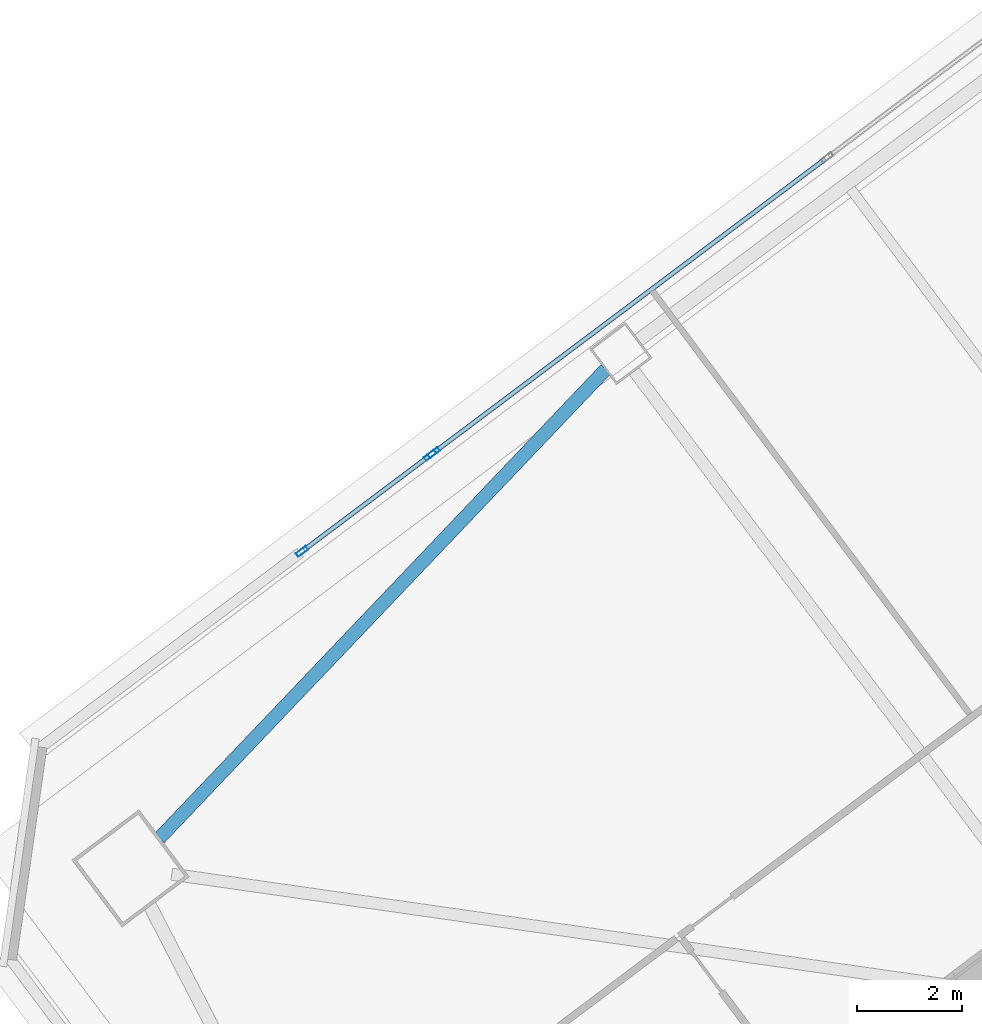
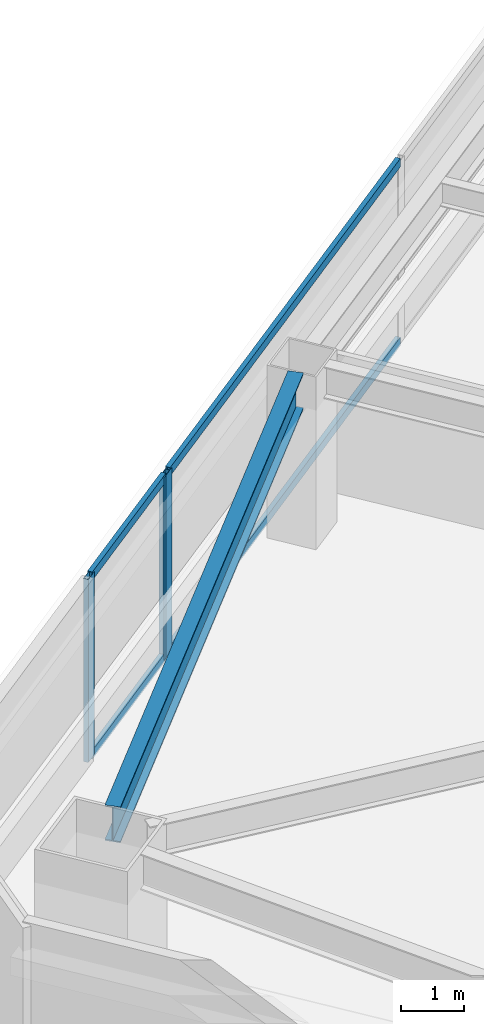
# One storey, part 28 of 48: 7 members, 1 beam, 2 elements without a shape of their own.
"""IFC4 building model written with IfcOpenShell, lengths in metres."""

from ifc_helpers import new_model, si_unit, direction, frame, origin, origin_2d, place, context, subcontext, project, spatial, hollow_rectangle, i_section, extrude, material, material_profile, profile_set, type_object, element, aggregate, save


model = new_model("IFC4")

# Units and contexts
model_context = context("Model", 3, precision=1e-05, world=origin(), true_north=direction((0.0, 1.0)))
body_context = subcontext(model_context, "Body", "Model", "MODEL_VIEW")
ifc_project = project(units=[si_unit("LENGTHUNIT", "METRE"), si_unit("AREAUNIT", "SQUARE_METRE"), si_unit("VOLUMEUNIT", "CUBIC_METRE"), si_unit("PLANEANGLEUNIT", "RADIAN"), si_unit("MASSUNIT", "GRAM", prefix="KILO")], contexts=[model_context])

# Site, building, storey
site_placement = place(None, origin())
site = spatial("IfcSite", under=ifc_project, at=site_placement, CompositionType="ELEMENT")
building_placement = place(site_placement, origin())
building = spatial("IfcBuilding", under=site, at=building_placement, Name="Tashvorn Skyway Center", CompositionType="ELEMENT")
storey_placement = place(building_placement, frame((0.0, 0.0, 56.550048828125)))
storey = spatial("IfcBuildingStorey", under=building, at=storey_placement, Name="L14", CompositionType="ELEMENT", Elevation=56.550048828125)

# Beam
ifc_material_1 = material(Name="Steel ASTM A992 Grade 50", Category="steel")
ifc_material_profile_1 = material_profile(ifc_material_1, i_section(OverallWidth=0.256103515625, OverallDepth=0.693115234375, WebThickness=0.014404296875, FlangeThickness=0.023681640625, at=origin_2d()), Name="W27X114")
ifc_profile_set_1 = profile_set([ifc_material_profile_1], Name="Steel ASTM A992 Grade 50")
beam_type = type_object("IfcBeamType", Name="BM-SPANDREL-W27X114", PredefinedType="SPANDREL", material=ifc_profile_set_1)
beam_placement = place(storey_placement, frame((96.76025390625, 45.2958984375, 3.00341796875), z_axis=(-0.689589637236, -0.724200339835, 0.0), x_axis=(0.724200339835, -0.689589637236, 0.0)))
element("IfcBeam", 1, at=beam_placement, inside=storey, type_object=beam_type, Name="Tower 2 L14 Spandrel Beam 09", PredefinedType="SPANDREL", context=body_context, shape_type="SweptSolid", body=[
    extrude(i_section(OverallWidth=0.256103515625, OverallDepth=0.693115234375, WebThickness=0.014404296875, FlangeThickness=0.023681640625, at=origin_2d()), origin(), (0.0, 0.0, 1.0), 12.37255859375),
])

# Curtain wall, members
ifc_material_2 = material(Name="Thermally broken bronze-anodized aluminium 6063-T6", Category="aluminium")
curtain_wall_type = type_object("IfcCurtainWallType", Name="CW-CW-Z1", PredefinedType="NOTDEFINED", material=ifc_material_2)
curtain_wall_1_placement = place(storey_placement, origin())
curtain_wall_1 = element("IfcCurtainWall", 2, at=curtain_wall_1_placement, inside=storey, type_object=curtain_wall_type, Name="Tower 2 L14 North Unitised Curtain Wall Glazing Group 1", PredefinedType="NOTDEFINED")
ifc_material_profile_2 = material_profile(ifc_material_2, hollow_rectangle(XDim=0.0849609375, YDim=0.239990234375, WallThickness=0.0048828125, at=origin_2d()), Name="ALU-MULL-85x240")
ifc_profile_set_2 = profile_set([ifc_material_profile_2], Name="Thermally broken bronze-anodized aluminium 6063-T6")
member_type_1 = type_object("IfcMemberType", Name="CWM-CW-Z1", PredefinedType="MULLION", material=ifc_profile_set_2)
member_1_placement = place(storey_placement, frame((90.956787109375, 41.8173828125, 0.0), z_axis=(0.0, 0.0, 1.0), x_axis=(-0.600005084776, 0.799996186392, 0.0)))
member_1 = element("IfcMember", 3, at=member_1_placement, type_object=member_type_1, Name="CW-Z1 mullion 1", PredefinedType="MULLION", context=body_context, shape_type="SweptSolid", body=[
    extrude(hollow_rectangle(XDim=0.0849609375, YDim=0.239990234375, WallThickness=0.0048828125, at=origin_2d()), origin(), (0.0, 0.0, 1.0), 3.550048828125),
])
member_2_placement = place(storey_placement, frame((93.406005859375, 43.654541015625, 0.0), z_axis=(0.0, 0.0, 1.0), x_axis=(-0.600005084776, 0.799996186392, 0.0)))
member_2 = element("IfcMember", 4, at=member_2_placement, type_object=member_type_1, Name="CW-Z1 mullion 2", PredefinedType="MULLION", context=body_context, shape_type="SweptSolid", body=[
    extrude(hollow_rectangle(XDim=0.0849609375, YDim=0.239990234375, WallThickness=0.0048828125, at=origin_2d()), origin(), (0.0, 0.0, 1.0), 3.550048828125),
])

# Curtain wall, member
curtain_wall_2_placement = place(storey_placement, origin())
curtain_wall_2 = element("IfcCurtainWall", 5, at=curtain_wall_2_placement, inside=storey, type_object=curtain_wall_type, Name="Tower 2 L14 North Unitised Curtain Wall Glazing Group 2", PredefinedType="NOTDEFINED")
member_3_placement = place(storey_placement, frame((93.47412109375, 43.70556640625, 0.0), z_axis=(0.0, 0.0, 1.0), x_axis=(-0.600000000002, 0.799999999998, 0.0)))
member_3 = element("IfcMember", 6, at=member_3_placement, type_object=member_type_1, Name="CW-Z1 mullion 1", PredefinedType="MULLION", context=body_context, shape_type="SweptSolid", body=[
    extrude(hollow_rectangle(XDim=0.0849609375, YDim=0.239990234375, WallThickness=0.0048828125, at=origin_2d()), origin(), (0.0, 0.0, 1.0), 3.550048828125),
])

# Member
ifc_material_profile_3 = material_profile(ifc_material_2, hollow_rectangle(XDim=0.0849609375, YDim=0.1650390625, WallThickness=0.0048828125, at=origin_2d()), Name="ALU-TRAN-85x165")
ifc_profile_set_3 = profile_set([ifc_material_profile_3], Name="Thermally broken bronze-anodized aluminium 6063-T6")
member_type_2 = type_object("IfcMemberType", Name="CWT-CW-Z1", PredefinedType="USERDEFINED", material=ifc_profile_set_3)
member_4_placement = place(storey_placement, frame((90.99072265625, 41.843017578125, 0.04248046875), z_axis=(0.800019684286, 0.599973753388, 0.0), x_axis=(-0.599973753388, 0.800019684286, 0.0)))
member_4 = element("IfcMember", 7, at=member_4_placement, type_object=member_type_2, Name="CW-Z1 transom 1.1", ObjectType="TRANSOM", PredefinedType="USERDEFINED", context=body_context, shape_type="SweptSolid", body=[
    extrude(hollow_rectangle(XDim=0.0849609375, YDim=0.1650390625, WallThickness=0.0048828125, at=origin_2d()), origin(), (0.0, 0.0, 1.0), 2.9765625),
])

member_5_placement = place(storey_placement, frame((90.99072265625, 41.843017578125, 3.507568359375), z_axis=(0.800019684286, 0.599973753388, 0.0), x_axis=(-0.599973753388, 0.800019684286, 0.0)))
member_5 = element("IfcMember", 8, at=member_5_placement, type_object=member_type_2, Name="CW-Z1 transom 1.2", ObjectType="TRANSOM", PredefinedType="USERDEFINED", context=body_context, shape_type="SweptSolid", body=[
    extrude(hollow_rectangle(XDim=0.0849609375, YDim=0.1650390625, WallThickness=0.0048828125, at=origin_2d()), origin(), (0.0, 0.0, 1.0), 2.9765625),
])

aggregate(curtain_wall_1, [member_1, member_2, member_4, member_5])

member_6_placement = place(storey_placement, frame((93.508056640625, 43.73095703125, 0.04248046875), z_axis=(0.799990562031, 0.600012583752, 0.0), x_axis=(-0.600012583752, 0.799990562031, 0.0)))
member_6 = element("IfcMember", 9, at=member_6_placement, type_object=member_type_2, Name="CW-Z1 transom 1.1", ObjectType="TRANSOM", PredefinedType="USERDEFINED", context=body_context, shape_type="SweptSolid", body=[
    extrude(hollow_rectangle(XDim=0.0849609375, YDim=0.1650390625, WallThickness=0.0048828125, at=origin_2d()), origin(), (0.0, 0.0, 1.0), 9.3125),
])

member_7_placement = place(storey_placement, frame((93.508056640625, 43.73095703125, 3.507568359375), z_axis=(0.799990562031, 0.600012583752, 0.0), x_axis=(-0.600012583752, 0.799990562031, 0.0)))
member_7 = element("IfcMember", 10, at=member_7_placement, type_object=member_type_2, Name="CW-Z1 transom 1.2", ObjectType="TRANSOM", PredefinedType="USERDEFINED", context=body_context, shape_type="SweptSolid", body=[
    extrude(hollow_rectangle(XDim=0.0849609375, YDim=0.1650390625, WallThickness=0.0048828125, at=origin_2d()), origin(), (0.0, 0.0, 1.0), 9.3125),
])

aggregate(curtain_wall_2, [member_3, member_6, member_7])

save(model, "model.ifc")
